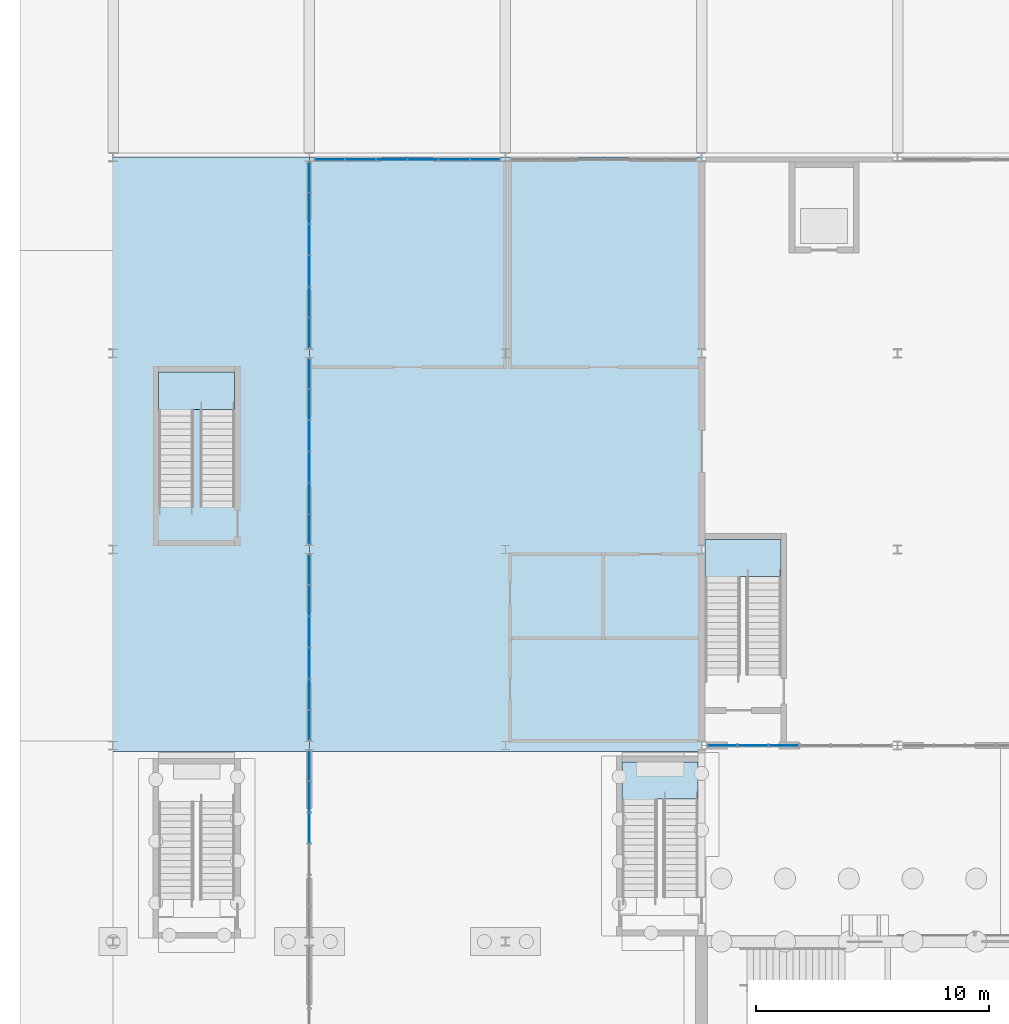
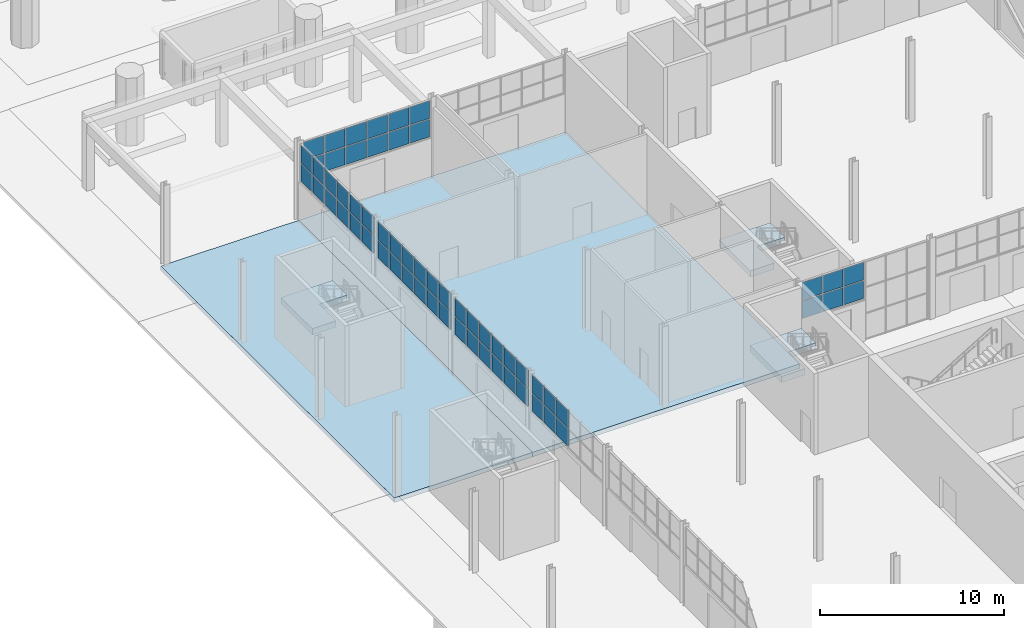
# One storey, part 50 of 127: 60 plates, 5 slabs, 9 elements without a shape of their own.
"""IFC4 building model written with IfcOpenShell, lengths in metres."""

from ifc_helpers import new_model, si_unit, direction, frame, origin, origin_2d, place, context, subcontext, project, spatial, polyline, rectangle, outline, extrude, material, layer, layer_set, type_object, element, aggregate, save


model = new_model("IFC4")

# Units and contexts
model_context = context("Model", 3, precision=1e-05, world=origin(), true_north=direction((0.0, 1.0)))
body_context = subcontext(model_context, "Body", "Model", "MODEL_VIEW")
ifc_project = project(units=[si_unit("LENGTHUNIT", "METRE"), si_unit("AREAUNIT", "SQUARE_METRE"), si_unit("VOLUMEUNIT", "CUBIC_METRE"), si_unit("PLANEANGLEUNIT", "RADIAN"), si_unit("MASSUNIT", "GRAM", prefix="KILO")], contexts=[model_context])

# Site, building, storey
site_placement = place(None, origin())
site = spatial("IfcSite", under=ifc_project, at=site_placement, CompositionType="ELEMENT")
building_placement = place(site_placement, origin())
building = spatial("IfcBuilding", under=site, at=building_placement, Name="Ljudholm Concert House", CompositionType="ELEMENT")
storey_placement = place(building_placement, origin())
storey = spatial("IfcBuildingStorey", under=building, at=storey_placement, Name="L00", CompositionType="ELEMENT", Elevation=0.0)

# Curtain wall, plates
ifc_material_1 = material(Name="Aluminium curtain wall with impact-rated laminated glass", Category="aluminium")
curtain_wall_type = type_object("IfcCurtainWallType", Name="CURTAIN WALL 1400", PredefinedType="NOTDEFINED", material=ifc_material_1)
curtain_wall_1_placement = place(storey_placement, origin())
curtain_wall_1 = element("IfcCurtainWall", 1, at=curtain_wall_1_placement, inside=storey, type_object=curtain_wall_type, Name="Foyer curtain wall", PredefinedType="NOTDEFINED")
ifc_material_2 = material(Name="Impact-rated laminated glass", Category="glass")
ifc_layer_1 = layer(ifc_material_2, 0.028076171875)
ifc_layer_set_1 = layer_set([ifc_layer_1], Name="Impact-rated laminated glass")
plate_type = type_object("IfcPlateType", Name="CURTAIN PANEL 28", PredefinedType="CURTAIN_PANEL", material=ifc_layer_set_1)
plate_1_placement = place(storey_placement, frame((12.39990234375, 101.268798828125, 2.760009765625), z_axis=(0.0, 0.0, 1.0), x_axis=(0.0, 1.0, 0.0)))
plate_1 = element("IfcPlate", 2, at=plate_1_placement, type_object=plate_type, Name="Curtain wall panel", PredefinedType="CURTAIN_PANEL", context=body_context, shape_type="SweptSolid", body=[
    extrude(rectangle(XDim=1.27783203125, YDim=0.028076171875, at=origin_2d()), origin(), (0.0, 0.0, 1.0), 1.169921875),
])
plate_2_placement = place(storey_placement, frame((12.39990234375, 101.268798828125, 3.989990234375), z_axis=(0.0, 0.0, 1.0), x_axis=(0.0, 1.0, 0.0)))
plate_2 = element("IfcPlate", 3, at=plate_2_placement, type_object=plate_type, Name="Curtain wall panel", PredefinedType="CURTAIN_PANEL", context=body_context, shape_type="SweptSolid", body=[
    extrude(rectangle(XDim=1.27783203125, YDim=0.028076171875, at=origin_2d()), origin(), (0.0, 0.0, 1.0), 1.169921875),
])
plate_3_placement = place(storey_placement, frame((12.39990234375, 102.606689453125, 2.760009765625), z_axis=(0.0, 0.0, 1.0), x_axis=(0.0, 1.0, 0.0)))
plate_3 = element("IfcPlate", 4, at=plate_3_placement, type_object=plate_type, Name="Curtain wall panel", PredefinedType="CURTAIN_PANEL", context=body_context, shape_type="SweptSolid", body=[
    extrude(rectangle(XDim=1.27783203125, YDim=0.028076171875, at=origin_2d()), origin(), (0.0, 0.0, 1.0), 1.169921875),
])
plate_4_placement = place(storey_placement, frame((12.39990234375, 102.606689453125, 3.989990234375), z_axis=(0.0, 0.0, 1.0), x_axis=(0.0, 1.0, 0.0)))
plate_4 = element("IfcPlate", 5, at=plate_4_placement, type_object=plate_type, Name="Curtain wall panel", PredefinedType="CURTAIN_PANEL", context=body_context, shape_type="SweptSolid", body=[
    extrude(rectangle(XDim=1.27783203125, YDim=0.028076171875, at=origin_2d()), origin(), (0.0, 0.0, 1.0), 1.169921875),
])
plate_5_placement = place(storey_placement, frame((12.39990234375, 103.929443359375, 2.760009765625), z_axis=(0.0, 0.0, 1.0), x_axis=(0.0, 1.0, 0.0)))
plate_5 = element("IfcPlate", 6, at=plate_5_placement, type_object=plate_type, Name="Curtain wall panel", PredefinedType="CURTAIN_PANEL", context=body_context, shape_type="SweptSolid", body=[
    extrude(rectangle(XDim=1.247802734375, YDim=0.028076171875, at=origin_2d()), origin(), (0.0, 0.0, 1.0), 1.169921875),
])
plate_6_placement = place(storey_placement, frame((12.39990234375, 103.929443359375, 3.989990234375), z_axis=(0.0, 0.0, 1.0), x_axis=(0.0, 1.0, 0.0)))
plate_6 = element("IfcPlate", 7, at=plate_6_placement, type_object=plate_type, Name="Curtain wall panel", PredefinedType="CURTAIN_PANEL", context=body_context, shape_type="SweptSolid", body=[
    extrude(rectangle(XDim=1.247802734375, YDim=0.028076171875, at=origin_2d()), origin(), (0.0, 0.0, 1.0), 1.169921875),
])
aggregate(curtain_wall_1, [plate_1, plate_2, plate_3, plate_4, plate_5, plate_6])

curtain_wall_2_placement = place(storey_placement, origin())
curtain_wall_2 = element("IfcCurtainWall", 8, at=curtain_wall_2_placement, inside=storey, type_object=curtain_wall_type, Name="Foyer curtain wall", PredefinedType="NOTDEFINED")
plate_7_placement = place(storey_placement, frame((12.39990234375, 105.670654296875, 2.760009765625), z_axis=(0.0, 0.0, 1.0), x_axis=(0.0, 1.0, 0.0)))
plate_7 = element("IfcPlate", 9, at=plate_7_placement, type_object=plate_type, Name="Curtain wall panel", PredefinedType="CURTAIN_PANEL", context=body_context, shape_type="SweptSolid", body=[
    extrude(rectangle(XDim=1.247802734375, YDim=0.028076171875, at=origin_2d()), origin(), (0.0, 0.0, 1.0), 1.169921875),
])
plate_8_placement = place(storey_placement, frame((12.39990234375, 105.670654296875, 3.989990234375), z_axis=(0.0, 0.0, 1.0), x_axis=(0.0, 1.0, 0.0)))
plate_8 = element("IfcPlate", 10, at=plate_8_placement, type_object=plate_type, Name="Curtain wall panel", PredefinedType="CURTAIN_PANEL", context=body_context, shape_type="SweptSolid", body=[
    extrude(rectangle(XDim=1.247802734375, YDim=0.028076171875, at=origin_2d()), origin(), (0.0, 0.0, 1.0), 1.169921875),
])
plate_9_placement = place(storey_placement, frame((12.39990234375, 106.993408203125, 2.760009765625), z_axis=(0.0, 0.0, 1.0), x_axis=(0.0, 1.0, 0.0)))
plate_9 = element("IfcPlate", 11, at=plate_9_placement, type_object=plate_type, Name="Curtain wall panel", PredefinedType="CURTAIN_PANEL", context=body_context, shape_type="SweptSolid", body=[
    extrude(rectangle(XDim=1.27783203125, YDim=0.028076171875, at=origin_2d()), origin(), (0.0, 0.0, 1.0), 1.169921875),
])
plate_10_placement = place(storey_placement, frame((12.39990234375, 106.993408203125, 3.989990234375), z_axis=(0.0, 0.0, 1.0), x_axis=(0.0, 1.0, 0.0)))
plate_10 = element("IfcPlate", 12, at=plate_10_placement, type_object=plate_type, Name="Curtain wall panel", PredefinedType="CURTAIN_PANEL", context=body_context, shape_type="SweptSolid", body=[
    extrude(rectangle(XDim=1.27783203125, YDim=0.028076171875, at=origin_2d()), origin(), (0.0, 0.0, 1.0), 1.169921875),
])
plate_11_placement = place(storey_placement, frame((12.39990234375, 108.3310546875, 2.760009765625), z_axis=(0.0, 0.0, 1.0), x_axis=(0.0, 1.0, 0.0)))
plate_11 = element("IfcPlate", 13, at=plate_11_placement, type_object=plate_type, Name="Curtain wall panel", PredefinedType="CURTAIN_PANEL", context=body_context, shape_type="SweptSolid", body=[
    extrude(rectangle(XDim=1.27783203125, YDim=0.028076171875, at=origin_2d()), origin(), (0.0, 0.0, 1.0), 1.169921875),
])
plate_12_placement = place(storey_placement, frame((12.39990234375, 108.3310546875, 3.989990234375), z_axis=(0.0, 0.0, 1.0), x_axis=(0.0, 1.0, 0.0)))
plate_12 = element("IfcPlate", 14, at=plate_12_placement, type_object=plate_type, Name="Curtain wall panel", PredefinedType="CURTAIN_PANEL", context=body_context, shape_type="SweptSolid", body=[
    extrude(rectangle(XDim=1.27783203125, YDim=0.028076171875, at=origin_2d()), origin(), (0.0, 0.0, 1.0), 1.169921875),
])
plate_13_placement = place(storey_placement, frame((12.39990234375, 109.6689453125, 2.760009765625), z_axis=(0.0, 0.0, 1.0), x_axis=(0.0, 1.0, 0.0)))
plate_13 = element("IfcPlate", 15, at=plate_13_placement, type_object=plate_type, Name="Curtain wall panel", PredefinedType="CURTAIN_PANEL", context=body_context, shape_type="SweptSolid", body=[
    extrude(rectangle(XDim=1.27783203125, YDim=0.028076171875, at=origin_2d()), origin(), (0.0, 0.0, 1.0), 1.169921875),
])
plate_14_placement = place(storey_placement, frame((12.39990234375, 109.6689453125, 3.989990234375), z_axis=(0.0, 0.0, 1.0), x_axis=(0.0, 1.0, 0.0)))
plate_14 = element("IfcPlate", 16, at=plate_14_placement, type_object=plate_type, Name="Curtain wall panel", PredefinedType="CURTAIN_PANEL", context=body_context, shape_type="SweptSolid", body=[
    extrude(rectangle(XDim=1.27783203125, YDim=0.028076171875, at=origin_2d()), origin(), (0.0, 0.0, 1.0), 1.169921875),
])
plate_15_placement = place(storey_placement, frame((12.39990234375, 111.006591796875, 2.760009765625), z_axis=(0.0, 0.0, 1.0), x_axis=(0.0, 1.0, 0.0)))
plate_15 = element("IfcPlate", 17, at=plate_15_placement, type_object=plate_type, Name="Curtain wall panel", PredefinedType="CURTAIN_PANEL", context=body_context, shape_type="SweptSolid", body=[
    extrude(rectangle(XDim=1.27783203125, YDim=0.028076171875, at=origin_2d()), origin(), (0.0, 0.0, 1.0), 1.169921875),
])
plate_16_placement = place(storey_placement, frame((12.39990234375, 111.006591796875, 3.989990234375), z_axis=(0.0, 0.0, 1.0), x_axis=(0.0, 1.0, 0.0)))
plate_16 = element("IfcPlate", 18, at=plate_16_placement, type_object=plate_type, Name="Curtain wall panel", PredefinedType="CURTAIN_PANEL", context=body_context, shape_type="SweptSolid", body=[
    extrude(rectangle(XDim=1.27783203125, YDim=0.028076171875, at=origin_2d()), origin(), (0.0, 0.0, 1.0), 1.169921875),
])
plate_17_placement = place(storey_placement, frame((12.39990234375, 112.329345703125, 2.760009765625), z_axis=(0.0, 0.0, 1.0), x_axis=(0.0, 1.0, 0.0)))
plate_17 = element("IfcPlate", 19, at=plate_17_placement, type_object=plate_type, Name="Curtain wall panel", PredefinedType="CURTAIN_PANEL", context=body_context, shape_type="SweptSolid", body=[
    extrude(rectangle(XDim=1.247802734375, YDim=0.028076171875, at=origin_2d()), origin(), (0.0, 0.0, 1.0), 1.169921875),
])
plate_18_placement = place(storey_placement, frame((12.39990234375, 112.329345703125, 3.989990234375), z_axis=(0.0, 0.0, 1.0), x_axis=(0.0, 1.0, 0.0)))
plate_18 = element("IfcPlate", 20, at=plate_18_placement, type_object=plate_type, Name="Curtain wall panel", PredefinedType="CURTAIN_PANEL", context=body_context, shape_type="SweptSolid", body=[
    extrude(rectangle(XDim=1.247802734375, YDim=0.028076171875, at=origin_2d()), origin(), (0.0, 0.0, 1.0), 1.169921875),
])
aggregate(curtain_wall_2, [plate_7, plate_8, plate_9, plate_10, plate_11, plate_12, plate_13, plate_14, plate_15, plate_16, plate_17, plate_18])

curtain_wall_3_placement = place(storey_placement, origin())
curtain_wall_3 = element("IfcCurtainWall", 21, at=curtain_wall_3_placement, inside=storey, type_object=curtain_wall_type, Name="Foyer curtain wall", PredefinedType="NOTDEFINED")
plate_19_placement = place(storey_placement, frame((12.39990234375, 114.070556640625, 2.760009765625), z_axis=(0.0, 0.0, 1.0), x_axis=(0.0, 1.0, 0.0)))
plate_19 = element("IfcPlate", 22, at=plate_19_placement, type_object=plate_type, Name="Curtain wall panel", PredefinedType="CURTAIN_PANEL", context=body_context, shape_type="SweptSolid", body=[
    extrude(rectangle(XDim=1.247802734375, YDim=0.028076171875, at=origin_2d()), origin(), (0.0, 0.0, 1.0), 1.169921875),
])
plate_20_placement = place(storey_placement, frame((12.39990234375, 114.070556640625, 3.989990234375), z_axis=(0.0, 0.0, 1.0), x_axis=(0.0, 1.0, 0.0)))
plate_20 = element("IfcPlate", 23, at=plate_20_placement, type_object=plate_type, Name="Curtain wall panel", PredefinedType="CURTAIN_PANEL", context=body_context, shape_type="SweptSolid", body=[
    extrude(rectangle(XDim=1.247802734375, YDim=0.028076171875, at=origin_2d()), origin(), (0.0, 0.0, 1.0), 1.169921875),
])
plate_21_placement = place(storey_placement, frame((12.39990234375, 115.393310546875, 2.760009765625), z_axis=(0.0, 0.0, 1.0), x_axis=(0.0, 1.0, 0.0)))
plate_21 = element("IfcPlate", 24, at=plate_21_placement, type_object=plate_type, Name="Curtain wall panel", PredefinedType="CURTAIN_PANEL", context=body_context, shape_type="SweptSolid", body=[
    extrude(rectangle(XDim=1.27783203125, YDim=0.028076171875, at=origin_2d()), origin(), (0.0, 0.0, 1.0), 1.169921875),
])
plate_22_placement = place(storey_placement, frame((12.39990234375, 115.393310546875, 3.989990234375), z_axis=(0.0, 0.0, 1.0), x_axis=(0.0, 1.0, 0.0)))
plate_22 = element("IfcPlate", 25, at=plate_22_placement, type_object=plate_type, Name="Curtain wall panel", PredefinedType="CURTAIN_PANEL", context=body_context, shape_type="SweptSolid", body=[
    extrude(rectangle(XDim=1.27783203125, YDim=0.028076171875, at=origin_2d()), origin(), (0.0, 0.0, 1.0), 1.169921875),
])
plate_23_placement = place(storey_placement, frame((12.39990234375, 116.731201171875, 2.760009765625), z_axis=(0.0, 0.0, 1.0), x_axis=(0.0, 1.0, 0.0)))
plate_23 = element("IfcPlate", 26, at=plate_23_placement, type_object=plate_type, Name="Curtain wall panel", PredefinedType="CURTAIN_PANEL", context=body_context, shape_type="SweptSolid", body=[
    extrude(rectangle(XDim=1.27783203125, YDim=0.028076171875, at=origin_2d()), origin(), (0.0, 0.0, 1.0), 1.169921875),
])
plate_24_placement = place(storey_placement, frame((12.39990234375, 116.731201171875, 3.989990234375), z_axis=(0.0, 0.0, 1.0), x_axis=(0.0, 1.0, 0.0)))
plate_24 = element("IfcPlate", 27, at=plate_24_placement, type_object=plate_type, Name="Curtain wall panel", PredefinedType="CURTAIN_PANEL", context=body_context, shape_type="SweptSolid", body=[
    extrude(rectangle(XDim=1.27783203125, YDim=0.028076171875, at=origin_2d()), origin(), (0.0, 0.0, 1.0), 1.169921875),
])
plate_25_placement = place(storey_placement, frame((12.39990234375, 118.06884765625, 2.760009765625), z_axis=(0.0, 0.0, 1.0), x_axis=(0.0, 1.0, 0.0)))
plate_25 = element("IfcPlate", 28, at=plate_25_placement, type_object=plate_type, Name="Curtain wall panel", PredefinedType="CURTAIN_PANEL", context=body_context, shape_type="SweptSolid", body=[
    extrude(rectangle(XDim=1.27783203125, YDim=0.028076171875, at=origin_2d()), origin(), (0.0, 0.0, 1.0), 1.169921875),
])
plate_26_placement = place(storey_placement, frame((12.39990234375, 118.06884765625, 3.989990234375), z_axis=(0.0, 0.0, 1.0), x_axis=(0.0, 1.0, 0.0)))
plate_26 = element("IfcPlate", 29, at=plate_26_placement, type_object=plate_type, Name="Curtain wall panel", PredefinedType="CURTAIN_PANEL", context=body_context, shape_type="SweptSolid", body=[
    extrude(rectangle(XDim=1.27783203125, YDim=0.028076171875, at=origin_2d()), origin(), (0.0, 0.0, 1.0), 1.169921875),
])
plate_27_placement = place(storey_placement, frame((12.39990234375, 119.40673828125, 2.760009765625), z_axis=(0.0, 0.0, 1.0), x_axis=(0.0, 1.0, 0.0)))
plate_27 = element("IfcPlate", 30, at=plate_27_placement, type_object=plate_type, Name="Curtain wall panel", PredefinedType="CURTAIN_PANEL", context=body_context, shape_type="SweptSolid", body=[
    extrude(rectangle(XDim=1.27783203125, YDim=0.028076171875, at=origin_2d()), origin(), (0.0, 0.0, 1.0), 1.169921875),
])
plate_28_placement = place(storey_placement, frame((12.39990234375, 119.40673828125, 3.989990234375), z_axis=(0.0, 0.0, 1.0), x_axis=(0.0, 1.0, 0.0)))
plate_28 = element("IfcPlate", 31, at=plate_28_placement, type_object=plate_type, Name="Curtain wall panel", PredefinedType="CURTAIN_PANEL", context=body_context, shape_type="SweptSolid", body=[
    extrude(rectangle(XDim=1.27783203125, YDim=0.028076171875, at=origin_2d()), origin(), (0.0, 0.0, 1.0), 1.169921875),
])
plate_29_placement = place(storey_placement, frame((12.39990234375, 120.7294921875, 2.760009765625), z_axis=(0.0, 0.0, 1.0), x_axis=(0.0, 1.0, 0.0)))
plate_29 = element("IfcPlate", 32, at=plate_29_placement, type_object=plate_type, Name="Curtain wall panel", PredefinedType="CURTAIN_PANEL", context=body_context, shape_type="SweptSolid", body=[
    extrude(rectangle(XDim=1.247802734375, YDim=0.028076171875, at=origin_2d()), origin(), (0.0, 0.0, 1.0), 1.169921875),
])
plate_30_placement = place(storey_placement, frame((12.39990234375, 120.7294921875, 3.989990234375), z_axis=(0.0, 0.0, 1.0), x_axis=(0.0, 1.0, 0.0)))
plate_30 = element("IfcPlate", 33, at=plate_30_placement, type_object=plate_type, Name="Curtain wall panel", PredefinedType="CURTAIN_PANEL", context=body_context, shape_type="SweptSolid", body=[
    extrude(rectangle(XDim=1.247802734375, YDim=0.028076171875, at=origin_2d()), origin(), (0.0, 0.0, 1.0), 1.169921875),
])
aggregate(curtain_wall_3, [plate_19, plate_20, plate_21, plate_22, plate_23, plate_24, plate_25, plate_26, plate_27, plate_28, plate_29, plate_30])

curtain_wall_4_placement = place(storey_placement, origin())
curtain_wall_4 = element("IfcCurtainWall", 34, at=curtain_wall_4_placement, inside=storey, type_object=curtain_wall_type, Name="Foyer curtain wall", PredefinedType="NOTDEFINED")
plate_31_placement = place(storey_placement, frame((12.39990234375, 122.470458984375, 2.760009765625), z_axis=(0.0, 0.0, 1.0), x_axis=(0.0, 1.0, 0.0)))
plate_31 = element("IfcPlate", 35, at=plate_31_placement, type_object=plate_type, Name="Curtain wall panel", PredefinedType="CURTAIN_PANEL", context=body_context, shape_type="SweptSolid", body=[
    extrude(rectangle(XDim=1.247802734375, YDim=0.028076171875, at=origin_2d()), origin(), (0.0, 0.0, 1.0), 1.169921875),
])
plate_32_placement = place(storey_placement, frame((12.39990234375, 122.470458984375, 3.989990234375), z_axis=(0.0, 0.0, 1.0), x_axis=(0.0, 1.0, 0.0)))
plate_32 = element("IfcPlate", 36, at=plate_32_placement, type_object=plate_type, Name="Curtain wall panel", PredefinedType="CURTAIN_PANEL", context=body_context, shape_type="SweptSolid", body=[
    extrude(rectangle(XDim=1.247802734375, YDim=0.028076171875, at=origin_2d()), origin(), (0.0, 0.0, 1.0), 1.169921875),
])
plate_33_placement = place(storey_placement, frame((12.39990234375, 123.79345703125, 2.760009765625), z_axis=(0.0, 0.0, 1.0), x_axis=(0.0, 1.0, 0.0)))
plate_33 = element("IfcPlate", 37, at=plate_33_placement, type_object=plate_type, Name="Curtain wall panel", PredefinedType="CURTAIN_PANEL", context=body_context, shape_type="SweptSolid", body=[
    extrude(rectangle(XDim=1.27783203125, YDim=0.028076171875, at=origin_2d()), origin(), (0.0, 0.0, 1.0), 1.169921875),
])
plate_34_placement = place(storey_placement, frame((12.39990234375, 123.79345703125, 3.989990234375), z_axis=(0.0, 0.0, 1.0), x_axis=(0.0, 1.0, 0.0)))
plate_34 = element("IfcPlate", 38, at=plate_34_placement, type_object=plate_type, Name="Curtain wall panel", PredefinedType="CURTAIN_PANEL", context=body_context, shape_type="SweptSolid", body=[
    extrude(rectangle(XDim=1.27783203125, YDim=0.028076171875, at=origin_2d()), origin(), (0.0, 0.0, 1.0), 1.169921875),
])
plate_35_placement = place(storey_placement, frame((12.39990234375, 125.131103515625, 2.760009765625), z_axis=(0.0, 0.0, 1.0), x_axis=(0.0, 1.0, 0.0)))
plate_35 = element("IfcPlate", 39, at=plate_35_placement, type_object=plate_type, Name="Curtain wall panel", PredefinedType="CURTAIN_PANEL", context=body_context, shape_type="SweptSolid", body=[
    extrude(rectangle(XDim=1.27783203125, YDim=0.028076171875, at=origin_2d()), origin(), (0.0, 0.0, 1.0), 1.169921875),
])
plate_36_placement = place(storey_placement, frame((12.39990234375, 125.131103515625, 3.989990234375), z_axis=(0.0, 0.0, 1.0), x_axis=(0.0, 1.0, 0.0)))
plate_36 = element("IfcPlate", 40, at=plate_36_placement, type_object=plate_type, Name="Curtain wall panel", PredefinedType="CURTAIN_PANEL", context=body_context, shape_type="SweptSolid", body=[
    extrude(rectangle(XDim=1.27783203125, YDim=0.028076171875, at=origin_2d()), origin(), (0.0, 0.0, 1.0), 1.169921875),
])
plate_37_placement = place(storey_placement, frame((12.39990234375, 126.468994140625, 2.760009765625), z_axis=(0.0, 0.0, 1.0), x_axis=(0.0, 1.0, 0.0)))
plate_37 = element("IfcPlate", 41, at=plate_37_placement, type_object=plate_type, Name="Curtain wall panel", PredefinedType="CURTAIN_PANEL", context=body_context, shape_type="SweptSolid", body=[
    extrude(rectangle(XDim=1.27783203125, YDim=0.028076171875, at=origin_2d()), origin(), (0.0, 0.0, 1.0), 1.169921875),
])
plate_38_placement = place(storey_placement, frame((12.39990234375, 126.468994140625, 3.989990234375), z_axis=(0.0, 0.0, 1.0), x_axis=(0.0, 1.0, 0.0)))
plate_38 = element("IfcPlate", 42, at=plate_38_placement, type_object=plate_type, Name="Curtain wall panel", PredefinedType="CURTAIN_PANEL", context=body_context, shape_type="SweptSolid", body=[
    extrude(rectangle(XDim=1.27783203125, YDim=0.028076171875, at=origin_2d()), origin(), (0.0, 0.0, 1.0), 1.169921875),
])
plate_39_placement = place(storey_placement, frame((12.39990234375, 127.806640625, 2.760009765625), z_axis=(0.0, 0.0, 1.0), x_axis=(0.0, 1.0, 0.0)))
plate_39 = element("IfcPlate", 43, at=plate_39_placement, type_object=plate_type, Name="Curtain wall panel", PredefinedType="CURTAIN_PANEL", context=body_context, shape_type="SweptSolid", body=[
    extrude(rectangle(XDim=1.27783203125, YDim=0.028076171875, at=origin_2d()), origin(), (0.0, 0.0, 1.0), 1.169921875),
])
plate_40_placement = place(storey_placement, frame((12.39990234375, 127.806640625, 3.989990234375), z_axis=(0.0, 0.0, 1.0), x_axis=(0.0, 1.0, 0.0)))
plate_40 = element("IfcPlate", 44, at=plate_40_placement, type_object=plate_type, Name="Curtain wall panel", PredefinedType="CURTAIN_PANEL", context=body_context, shape_type="SweptSolid", body=[
    extrude(rectangle(XDim=1.27783203125, YDim=0.028076171875, at=origin_2d()), origin(), (0.0, 0.0, 1.0), 1.169921875),
])
plate_41_placement = place(storey_placement, frame((12.39990234375, 129.12939453125, 2.760009765625), z_axis=(0.0, 0.0, 1.0), x_axis=(0.0, 1.0, 0.0)))
plate_41 = element("IfcPlate", 45, at=plate_41_placement, type_object=plate_type, Name="Curtain wall panel", PredefinedType="CURTAIN_PANEL", context=body_context, shape_type="SweptSolid", body=[
    extrude(rectangle(XDim=1.247802734375, YDim=0.028076171875, at=origin_2d()), origin(), (0.0, 0.0, 1.0), 1.169921875),
])
plate_42_placement = place(storey_placement, frame((12.39990234375, 129.12939453125, 3.989990234375), z_axis=(0.0, 0.0, 1.0), x_axis=(0.0, 1.0, 0.0)))
plate_42 = element("IfcPlate", 46, at=plate_42_placement, type_object=plate_type, Name="Curtain wall panel", PredefinedType="CURTAIN_PANEL", context=body_context, shape_type="SweptSolid", body=[
    extrude(rectangle(XDim=1.247802734375, YDim=0.028076171875, at=origin_2d()), origin(), (0.0, 0.0, 1.0), 1.169921875),
])
aggregate(curtain_wall_4, [plate_31, plate_32, plate_33, plate_34, plate_35, plate_36, plate_37, plate_38, plate_39, plate_40, plate_41, plate_42])

curtain_wall_5_placement = place(storey_placement, origin())
curtain_wall_5 = element("IfcCurtainWall", 47, at=curtain_wall_5_placement, inside=storey, type_object=curtain_wall_type, Name="North curtain wall", PredefinedType="NOTDEFINED")
plate_43_placement = place(storey_placement, frame((13.2705078125, 129.89990234375, 2.760009765625), z_axis=(0.0, 0.0, 1.0), x_axis=(1.0, 0.0, 0.0)))
plate_43 = element("IfcPlate", 48, at=plate_43_placement, type_object=plate_type, Name="Curtain wall panel", PredefinedType="CURTAIN_PANEL", context=body_context, shape_type="SweptSolid", body=[
    extrude(rectangle(XDim=1.247802734375, YDim=0.028076171875, at=origin_2d()), origin(), (0.0, 0.0, 1.0), 1.169921875),
])
plate_44_placement = place(storey_placement, frame((13.2705078125, 129.89990234375, 3.989990234375), z_axis=(0.0, 0.0, 1.0), x_axis=(1.0, 0.0, 0.0)))
plate_44 = element("IfcPlate", 49, at=plate_44_placement, type_object=plate_type, Name="Curtain wall panel", PredefinedType="CURTAIN_PANEL", context=body_context, shape_type="SweptSolid", body=[
    extrude(rectangle(XDim=1.247802734375, YDim=0.028076171875, at=origin_2d()), origin(), (0.0, 0.0, 1.0), 1.169921875),
])
plate_45_placement = place(storey_placement, frame((14.59326171875, 129.89990234375, 2.760009765625), z_axis=(0.0, 0.0, 1.0), x_axis=(1.0, 0.0, 0.0)))
plate_45 = element("IfcPlate", 50, at=plate_45_placement, type_object=plate_type, Name="Curtain wall panel", PredefinedType="CURTAIN_PANEL", context=body_context, shape_type="SweptSolid", body=[
    extrude(rectangle(XDim=1.27783203125, YDim=0.028076171875, at=origin_2d()), origin(), (0.0, 0.0, 1.0), 1.169921875),
])
plate_46_placement = place(storey_placement, frame((14.59326171875, 129.89990234375, 3.989990234375), z_axis=(0.0, 0.0, 1.0), x_axis=(1.0, 0.0, 0.0)))
plate_46 = element("IfcPlate", 51, at=plate_46_placement, type_object=plate_type, Name="Curtain wall panel", PredefinedType="CURTAIN_PANEL", context=body_context, shape_type="SweptSolid", body=[
    extrude(rectangle(XDim=1.27783203125, YDim=0.028076171875, at=origin_2d()), origin(), (0.0, 0.0, 1.0), 1.169921875),
])
plate_47_placement = place(storey_placement, frame((15.93115234375, 129.89990234375, 2.760009765625), z_axis=(0.0, 0.0, 1.0), x_axis=(1.0, 0.0, 0.0)))
plate_47 = element("IfcPlate", 52, at=plate_47_placement, type_object=plate_type, Name="Curtain wall panel", PredefinedType="CURTAIN_PANEL", context=body_context, shape_type="SweptSolid", body=[
    extrude(rectangle(XDim=1.27783203125, YDim=0.028076171875, at=origin_2d()), origin(), (0.0, 0.0, 1.0), 1.169921875),
])
plate_48_placement = place(storey_placement, frame((15.93115234375, 129.89990234375, 3.989990234375), z_axis=(0.0, 0.0, 1.0), x_axis=(1.0, 0.0, 0.0)))
plate_48 = element("IfcPlate", 53, at=plate_48_placement, type_object=plate_type, Name="Curtain wall panel", PredefinedType="CURTAIN_PANEL", context=body_context, shape_type="SweptSolid", body=[
    extrude(rectangle(XDim=1.27783203125, YDim=0.028076171875, at=origin_2d()), origin(), (0.0, 0.0, 1.0), 1.169921875),
])
plate_49_placement = place(storey_placement, frame((17.268798828125, 129.89990234375, 2.760009765625), z_axis=(0.0, 0.0, 1.0), x_axis=(1.0, 0.0, 0.0)))
plate_49 = element("IfcPlate", 54, at=plate_49_placement, type_object=plate_type, Name="Curtain wall panel", PredefinedType="CURTAIN_PANEL", context=body_context, shape_type="SweptSolid", body=[
    extrude(rectangle(XDim=1.27783203125, YDim=0.028076171875, at=origin_2d()), origin(), (0.0, 0.0, 1.0), 1.169921875),
])
plate_50_placement = place(storey_placement, frame((17.268798828125, 129.89990234375, 3.989990234375), z_axis=(0.0, 0.0, 1.0), x_axis=(1.0, 0.0, 0.0)))
plate_50 = element("IfcPlate", 55, at=plate_50_placement, type_object=plate_type, Name="Curtain wall panel", PredefinedType="CURTAIN_PANEL", context=body_context, shape_type="SweptSolid", body=[
    extrude(rectangle(XDim=1.27783203125, YDim=0.028076171875, at=origin_2d()), origin(), (0.0, 0.0, 1.0), 1.169921875),
])
plate_51_placement = place(storey_placement, frame((18.606689453125, 129.89990234375, 2.760009765625), z_axis=(0.0, 0.0, 1.0), x_axis=(1.0, 0.0, 0.0)))
plate_51 = element("IfcPlate", 56, at=plate_51_placement, type_object=plate_type, Name="Curtain wall panel", PredefinedType="CURTAIN_PANEL", context=body_context, shape_type="SweptSolid", body=[
    extrude(rectangle(XDim=1.27783203125, YDim=0.028076171875, at=origin_2d()), origin(), (0.0, 0.0, 1.0), 1.169921875),
])
plate_52_placement = place(storey_placement, frame((18.606689453125, 129.89990234375, 3.989990234375), z_axis=(0.0, 0.0, 1.0), x_axis=(1.0, 0.0, 0.0)))
plate_52 = element("IfcPlate", 57, at=plate_52_placement, type_object=plate_type, Name="Curtain wall panel", PredefinedType="CURTAIN_PANEL", context=body_context, shape_type="SweptSolid", body=[
    extrude(rectangle(XDim=1.27783203125, YDim=0.028076171875, at=origin_2d()), origin(), (0.0, 0.0, 1.0), 1.169921875),
])
plate_53_placement = place(storey_placement, frame((19.929443359375, 129.89990234375, 2.760009765625), z_axis=(0.0, 0.0, 1.0), x_axis=(1.0, 0.0, 0.0)))
plate_53 = element("IfcPlate", 58, at=plate_53_placement, type_object=plate_type, Name="Curtain wall panel", PredefinedType="CURTAIN_PANEL", context=body_context, shape_type="SweptSolid", body=[
    extrude(rectangle(XDim=1.247802734375, YDim=0.028076171875, at=origin_2d()), origin(), (0.0, 0.0, 1.0), 1.169921875),
])
plate_54_placement = place(storey_placement, frame((19.929443359375, 129.89990234375, 3.989990234375), z_axis=(0.0, 0.0, 1.0), x_axis=(1.0, 0.0, 0.0)))
plate_54 = element("IfcPlate", 59, at=plate_54_placement, type_object=plate_type, Name="Curtain wall panel", PredefinedType="CURTAIN_PANEL", context=body_context, shape_type="SweptSolid", body=[
    extrude(rectangle(XDim=1.247802734375, YDim=0.028076171875, at=origin_2d()), origin(), (0.0, 0.0, 1.0), 1.169921875),
])
aggregate(curtain_wall_5, [plate_43, plate_44, plate_45, plate_46, plate_47, plate_48, plate_49, plate_50, plate_51, plate_52, plate_53, plate_54])

curtain_wall_6_placement = place(storey_placement, origin())
curtain_wall_6 = element("IfcCurtainWall", 60, at=curtain_wall_6_placement, inside=storey, type_object=curtain_wall_type, Name="Winter garden curtain wall", PredefinedType="NOTDEFINED")
plate_55_placement = place(storey_placement, frame((30.098388671875, 104.800048828125, 2.760009765625), z_axis=(0.0, 0.0, 1.0), x_axis=(1.0, 0.0, 0.0)))
plate_55 = element("IfcPlate", 61, at=plate_55_placement, type_object=plate_type, Name="Curtain wall panel", PredefinedType="CURTAIN_PANEL", context=body_context, shape_type="SweptSolid", body=[
    extrude(rectangle(XDim=1.236572265625, YDim=0.028076171875, at=origin_2d()), origin(), (0.0, 0.0, 1.0), 1.169921875),
])
plate_56_placement = place(storey_placement, frame((30.098388671875, 104.800048828125, 3.989990234375), z_axis=(0.0, 0.0, 1.0), x_axis=(1.0, 0.0, 0.0)))
plate_56 = element("IfcPlate", 62, at=plate_56_placement, type_object=plate_type, Name="Curtain wall panel", PredefinedType="CURTAIN_PANEL", context=body_context, shape_type="SweptSolid", body=[
    extrude(rectangle(XDim=1.236572265625, YDim=0.028076171875, at=origin_2d()), origin(), (0.0, 0.0, 1.0), 1.169921875),
])
plate_57_placement = place(storey_placement, frame((31.409912109375, 104.800048828125, 2.760009765625), z_axis=(0.0, 0.0, 1.0), x_axis=(1.0, 0.0, 0.0)))
plate_57 = element("IfcPlate", 63, at=plate_57_placement, type_object=plate_type, Name="Curtain wall panel", PredefinedType="CURTAIN_PANEL", context=body_context, shape_type="SweptSolid", body=[
    extrude(rectangle(XDim=1.2666015625, YDim=0.028076171875, at=origin_2d()), origin(), (0.0, 0.0, 1.0), 1.169921875),
])
plate_58_placement = place(storey_placement, frame((31.409912109375, 104.800048828125, 3.989990234375), z_axis=(0.0, 0.0, 1.0), x_axis=(1.0, 0.0, 0.0)))
plate_58 = element("IfcPlate", 64, at=plate_58_placement, type_object=plate_type, Name="Curtain wall panel", PredefinedType="CURTAIN_PANEL", context=body_context, shape_type="SweptSolid", body=[
    extrude(rectangle(XDim=1.2666015625, YDim=0.028076171875, at=origin_2d()), origin(), (0.0, 0.0, 1.0), 1.169921875),
])
plate_59_placement = place(storey_placement, frame((32.7216796875, 104.800048828125, 2.760009765625), z_axis=(0.0, 0.0, 1.0), x_axis=(1.0, 0.0, 0.0)))
plate_59 = element("IfcPlate", 65, at=plate_59_placement, type_object=plate_type, Name="Curtain wall panel", PredefinedType="CURTAIN_PANEL", context=body_context, shape_type="SweptSolid", body=[
    extrude(rectangle(XDim=1.236572265625, YDim=0.028076171875, at=origin_2d()), origin(), (0.0, 0.0, 1.0), 1.169921875),
])
plate_60_placement = place(storey_placement, frame((32.7216796875, 104.800048828125, 3.989990234375), z_axis=(0.0, 0.0, 1.0), x_axis=(1.0, 0.0, 0.0)))
plate_60 = element("IfcPlate", 66, at=plate_60_placement, type_object=plate_type, Name="Curtain wall panel", PredefinedType="CURTAIN_PANEL", context=body_context, shape_type="SweptSolid", body=[
    extrude(rectangle(XDim=1.236572265625, YDim=0.028076171875, at=origin_2d()), origin(), (0.0, 0.0, 1.0), 1.169921875),
])
aggregate(curtain_wall_6, [plate_55, plate_56, plate_57, plate_58, plate_59, plate_60])

# Slabs
ifc_material_3 = material(Name="Concrete 5,000 psi", Category="concrete")
ifc_layer_2 = layer(ifc_material_3, 0.300048828125)
ifc_layer_set_2 = layer_set([ifc_layer_2], Name="Concrete 5,000 psi")
slab_type_1 = type_object("IfcSlabType", Name="RC FLOOR SLAB 300", PredefinedType="FLOOR", material=ifc_layer_set_2)
slab_1_placement = place(storey_placement, frame((0.0, 0.0, -0.300048828125)))
element("IfcSlab", 67, at=slab_1_placement, inside=storey, type_object=slab_type_1, Name="Floor slab", PredefinedType="FLOOR", context=body_context, shape_type="SweptSolid", body=[
    extrude(outline(polyline([(29.199951171875, 130.0), (12.39990234375, 130.0), (12.39990234375, 104.550048828125), (29.199951171875, 104.550048828125), (29.199951171875, 130.0)])), origin(), (0.0, 0.0, 1.0), 0.300048828125),
])
ifc_material_4 = material(Name="Concrete 5,000 psi", Category="concrete")
ifc_layer_3 = layer(ifc_material_4, 0.300048828125)
ifc_layer_set_3 = layer_set([ifc_layer_3], Name="Concrete 5,000 psi")
slab_type_2 = type_object("IfcSlabType", Name="RC FLOOR SLAB 300 EXTERNAL", PredefinedType="FLOOR", material=ifc_layer_set_3)
slab_2_placement = place(storey_placement, frame((0.0, 0.0, -0.300048828125)))
element("IfcSlab", 68, at=slab_2_placement, inside=storey, type_object=slab_type_2, Name="Arcade paving", PredefinedType="FLOOR", context=body_context, shape_type="SweptSolid", body=[
    extrude(outline(polyline([(3.699951171875, 104.550048828125), (12.39990234375, 104.550048828125), (12.39990234375, 130.0), (3.699951171875, 130.0), (3.699951171875, 104.550048828125)])), origin(), (0.0, 0.0, 1.0), 0.300048828125),
])

# Stair, slab
ifc_material_5 = material(Name="Concrete 5,000 psi", Category="concrete")
stair_type = type_object("IfcStairType", Name="RC STAIR 1500x169x280", PredefinedType="HALF_TURN_STAIR", material=ifc_material_5)
stair_1_placement = place(storey_placement, origin())
stair_1 = element("IfcStair", 69, at=stair_1_placement, inside=storey, type_object=stair_type, Name="Stair", PredefinedType="HALF_TURN_STAIR")
ifc_material_6 = material(Name="Concrete 5,000 psi", Category="concrete")
ifc_layer_4 = layer(ifc_material_6, 0.409912109375)
ifc_layer_set_4 = layer_set([ifc_layer_4], Name="Concrete 5,000 psi")
slab_type_3 = type_object("IfcSlabType", Name="RC LANDING 410", PredefinedType="LANDING", material=ifc_layer_set_4)
slab_3_placement = place(storey_placement, frame((0.0, 0.0, 2.2900390625)))
slab_3 = element("IfcSlab", 70, at=slab_3_placement, type_object=slab_type_3, Name="Stair landing", PredefinedType="LANDING", context=body_context, shape_type="SweptSolid", body=[
    extrude(outline(polyline([(25.800048828125, 100.669921875), (27.300048828125, 100.669921875), (27.300048828125, 102.49951171875), (29.050048828125, 102.49951171875), (29.050048828125, 104.10009765625), (25.800048828125, 104.10009765625), (25.800048828125, 100.669921875)])), origin(), (0.0, 0.0, 1.0), 0.409912109375),
])
aggregate(stair_1, [slab_3])

stair_2_placement = place(storey_placement, origin())
stair_2 = element("IfcStair", 71, at=stair_2_placement, inside=storey, type_object=stair_type, Name="Stair", PredefinedType="HALF_TURN_STAIR")
slab_4_placement = place(storey_placement, frame((0.0, 0.0, 2.2900390625)))
slab_4 = element("IfcSlab", 72, at=slab_4_placement, type_object=slab_type_3, Name="Stair landing", PredefinedType="LANDING", context=body_context, shape_type="SweptSolid", body=[
    extrude(outline(polyline([(5.949951171875, 117.3701171875), (7.449951171875, 117.3701171875), (7.449951171875, 119.199462890625), (9.199951171875, 119.199462890625), (9.199951171875, 120.800048828125), (5.949951171875, 120.800048828125), (5.949951171875, 117.3701171875)])), origin(), (0.0, 0.0, 1.0), 0.409912109375),
])
aggregate(stair_2, [slab_4])

stair_3_placement = place(storey_placement, origin())
stair_3 = element("IfcStair", 73, at=stair_3_placement, inside=storey, type_object=stair_type, Name="Stair", PredefinedType="HALF_TURN_STAIR")
slab_5_placement = place(storey_placement, frame((0.0, 0.0, 2.2900390625)))
slab_5 = element("IfcSlab", 74, at=slab_5_placement, type_object=slab_type_3, Name="Stair landing", PredefinedType="LANDING", context=body_context, shape_type="SweptSolid", body=[
    extrude(outline(polyline([(29.35009765625, 110.199951171875), (30.85009765625, 110.199951171875), (30.85009765625, 112.029541015625), (32.60009765625, 112.029541015625), (32.60009765625, 113.6298828125), (29.35009765625, 113.6298828125), (29.35009765625, 110.199951171875)])), origin(), (0.0, 0.0, 1.0), 0.409912109375),
])
aggregate(stair_3, [slab_5])

save(model, "model.ifc")
